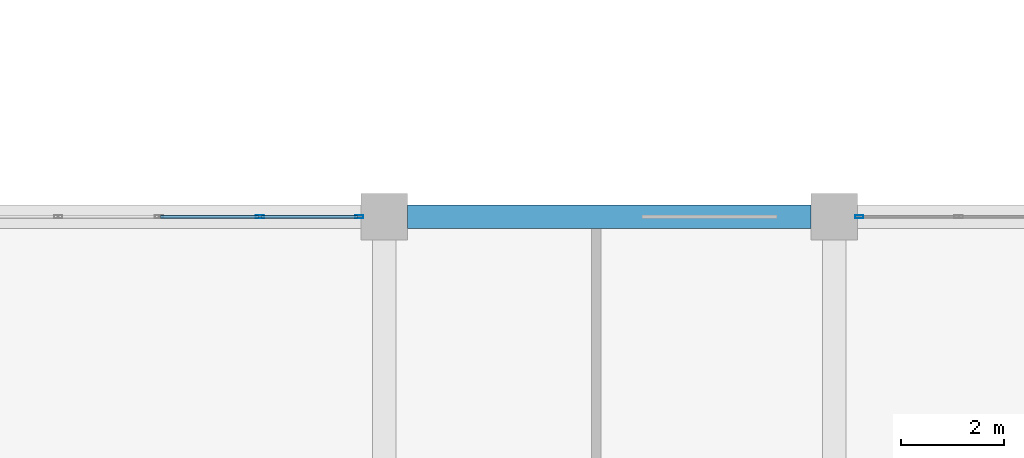
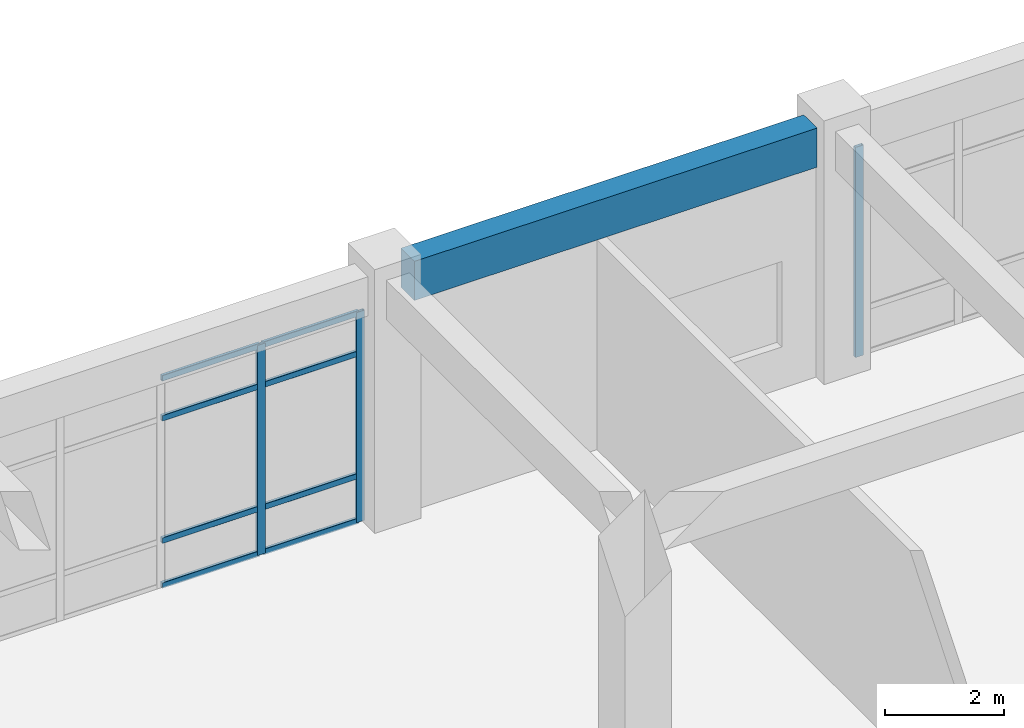
# One storey, part 63 of 114: 11 members, 1 beam, 2 elements without a shape of their own.
"""IFC4 building model written with IfcOpenShell, lengths in metres."""

from ifc_helpers import new_model, si_unit, derived_unit, direction, frame, origin, origin_2d, place, context, subcontext, project, spatial, rectangle, hollow_rectangle, extrude, material, layer, layer_set, material_profile, profile_set, type_object, element, aggregate, save


model = new_model("IFC4")

# Units and contexts
model_context = context("Model", 3, precision=1e-05, world=origin(), true_north=direction((0.0, 1.0)))
body_context = subcontext(model_context, "Body", "Model", "MODEL_VIEW")
ifc_project = project(units=[si_unit("LENGTHUNIT", "METRE"), si_unit("AREAUNIT", "SQUARE_METRE"), si_unit("VOLUMEUNIT", "CUBIC_METRE"), si_unit("PLANEANGLEUNIT", "RADIAN"), si_unit("MASSUNIT", "GRAM", prefix="KILO"), derived_unit("THERMALTRANSMITTANCEUNIT", [(si_unit("MASSUNIT", "GRAM", prefix="KILO"), 1), (si_unit("TIMEUNIT", "SECOND"), -3), (si_unit("THERMODYNAMICTEMPERATUREUNIT", "KELVIN"), -1)])], contexts=[model_context])

# Site, building, storey
site_placement = place(None, origin())
site = spatial("IfcSite", under=ifc_project, at=site_placement, CompositionType="ELEMENT")
building_placement = place(site_placement, origin())
building = spatial("IfcBuilding", under=site, at=building_placement, Name="Qinzheling Arcade Emporium", CompositionType="ELEMENT")
storey_placement = place(building_placement, frame((0.0, 0.0, 6.0)))
storey = spatial("IfcBuildingStorey", under=building, at=storey_placement, Name="L02", CompositionType="ELEMENT", Elevation=6.0)

# Curtain wall, members
ifc_material_1 = material(Name="Anodised aluminium and solar-control double glazing", Category="aluminium")
ifc_layer = layer(ifc_material_1, 0.159912109375, Name="Anodised aluminium and solar-control double glazing", Category="aluminium")
ifc_layer_set = layer_set([ifc_layer], Name="Anodised aluminium and solar-control double glazing")
curtain_wall_type = type_object("IfcCurtainWallType", Name="Food Hall Loggia Curtain Wall", PredefinedType="NOTDEFINED", material=ifc_layer_set)
curtain_wall_1_placement = place(storey_placement, origin())
curtain_wall_1 = element("IfcCurtainWall", 1, at=curtain_wall_1_placement, inside=storey, type_object=curtain_wall_type, Name="Curtain Wall CW-L02-126", PredefinedType="NOTDEFINED")
ifc_material_2 = material(Name="Anodised aluminium 6063-T6", Category="aluminium")
ifc_material_profile_1 = material_profile(ifc_material_2, hollow_rectangle(XDim=0.06005859375, YDim=0.159912109375, WallThickness=0.00390625, InnerFilletRadius=0.00390625, OuterFilletRadius=0.008056640625, at=origin_2d()), Name="RHS 160x60x4", Category="aluminium")
ifc_profile_set_1 = profile_set([ifc_material_profile_1], Name="Anodised aluminium 6063-T6")
member_type_1 = type_object("IfcMemberType", Name="Curtain Wall Mullion RHS160x60", PredefinedType="MULLION", material=ifc_profile_set_1)
member_1_placement = place(storey_placement, frame((145.4990234375, 33.60009765625, 0.0), z_axis=(0.0, 0.0, 1.0), x_axis=(0.0, 1.0, 0.0)))
member_1 = element("IfcMember", 2, at=member_1_placement, type_object=member_type_1, Name="CW04 mullion 4", PredefinedType="MULLION", context=body_context, shape_type="SweptSolid", body=[
    extrude(hollow_rectangle(XDim=0.06005859375, YDim=0.159912109375, WallThickness=0.00390625, InnerFilletRadius=0.00390625, OuterFilletRadius=0.008056640625, at=origin_2d()), origin(), (0.0, 0.0, 1.0), 4.304931640625),
])
member_2_placement = place(storey_placement, frame((147.41796875, 33.60009765625, 0.0), z_axis=(0.0, 0.0, 1.0), x_axis=(0.0, 1.0, 0.0)))
member_2 = element("IfcMember", 3, at=member_2_placement, type_object=member_type_1, Name="CW04 mullion 5", PredefinedType="MULLION", context=body_context, shape_type="SweptSolid", body=[
    extrude(hollow_rectangle(XDim=0.06005859375, YDim=0.159912109375, WallThickness=0.00390625, InnerFilletRadius=0.00390625, OuterFilletRadius=0.008056640625, at=origin_2d()), origin(), (0.0, 0.0, 1.0), 4.304931640625),
])

# Curtain wall, member
curtain_wall_2_placement = place(storey_placement, origin())
curtain_wall_2 = element("IfcCurtainWall", 4, at=curtain_wall_2_placement, inside=storey, type_object=curtain_wall_type, Name="Curtain Wall CW-L02-127", PredefinedType="NOTDEFINED")
member_3_placement = place(storey_placement, frame((157.08203125, 33.60009765625, 0.0), z_axis=(0.0, 0.0, 1.0), x_axis=(0.0, 1.0, 0.0)))
member_3 = element("IfcMember", 5, at=member_3_placement, type_object=member_type_1, Name="CW04 mullion 1", PredefinedType="MULLION", context=body_context, shape_type="SweptSolid", body=[
    extrude(hollow_rectangle(XDim=0.06005859375, YDim=0.159912109375, WallThickness=0.00390625, InnerFilletRadius=0.00390625, OuterFilletRadius=0.008056640625, at=origin_2d()), origin(), (0.0, 0.0, 1.0), 4.304931640625),
])
aggregate(curtain_wall_2, [member_3])

# Member
ifc_material_profile_2 = material_profile(ifc_material_2, hollow_rectangle(XDim=0.06005859375, YDim=0.1201171875, WallThickness=0.00390625, InnerFilletRadius=0.00390625, OuterFilletRadius=0.008056640625, at=origin_2d()), Name="RHS 120x60x4", Category="aluminium")
ifc_profile_set_2 = profile_set([ifc_material_profile_2], Name="Anodised aluminium 6063-T6")
member_type_2 = type_object("IfcMemberType", Name="Curtain Wall Transom RHS120x60", PredefinedType="USERDEFINED", material=ifc_profile_set_2)
member_4_placement = place(storey_placement, frame((143.580078125, 33.60009765625, 0.030029296875), z_axis=(1.0, 0.0, 0.0), x_axis=(0.0, 1.0, 0.0)))
member_4 = element("IfcMember", 6, at=member_4_placement, type_object=member_type_2, Name="CW04 transom 3.1", ObjectType="TRANSOM", PredefinedType="USERDEFINED", context=body_context, shape_type="SweptSolid", body=[
    extrude(hollow_rectangle(XDim=0.06005859375, YDim=0.1201171875, WallThickness=0.00390625, InnerFilletRadius=0.00390625, OuterFilletRadius=0.008056640625, at=origin_2d()), origin(), (0.0, 0.0, 1.0), 1.888916015625),
])

member_5_placement = place(storey_placement, frame((143.580078125, 33.60009765625, 0.949951171875), z_axis=(1.0, 0.0, 0.0), x_axis=(0.0, 1.0, 0.0)))
member_5 = element("IfcMember", 7, at=member_5_placement, type_object=member_type_2, Name="CW04 transom 3.2", ObjectType="TRANSOM", PredefinedType="USERDEFINED", context=body_context, shape_type="SweptSolid", body=[
    extrude(hollow_rectangle(XDim=0.06005859375, YDim=0.1201171875, WallThickness=0.00390625, InnerFilletRadius=0.00390625, OuterFilletRadius=0.008056640625, at=origin_2d()), origin(), (0.0, 0.0, 1.0), 1.888916015625),
])

member_6_placement = place(storey_placement, frame((143.580078125, 33.60009765625, 3.455078125), z_axis=(1.0, 0.0, 0.0), x_axis=(0.0, 1.0, 0.0)))
member_6 = element("IfcMember", 8, at=member_6_placement, type_object=member_type_2, Name="CW04 transom 3.3", ObjectType="TRANSOM", PredefinedType="USERDEFINED", context=body_context, shape_type="SweptSolid", body=[
    extrude(hollow_rectangle(XDim=0.06005859375, YDim=0.1201171875, WallThickness=0.00390625, InnerFilletRadius=0.00390625, OuterFilletRadius=0.008056640625, at=origin_2d()), origin(), (0.0, 0.0, 1.0), 1.888916015625),
])

member_7_placement = place(storey_placement, frame((143.580078125, 33.60009765625, 4.27490234375), z_axis=(1.0, 0.0, 0.0), x_axis=(0.0, 1.0, 0.0)))
member_7 = element("IfcMember", 9, at=member_7_placement, type_object=member_type_2, Name="CW04 transom 3.4", ObjectType="TRANSOM", PredefinedType="USERDEFINED", context=body_context, shape_type="SweptSolid", body=[
    extrude(hollow_rectangle(XDim=0.06005859375, YDim=0.1201171875, WallThickness=0.00390625, InnerFilletRadius=0.00390625, OuterFilletRadius=0.008056640625, at=origin_2d()), origin(), (0.0, 0.0, 1.0), 1.888916015625),
])

member_8_placement = place(storey_placement, frame((145.529052734375, 33.60009765625, 0.030029296875), z_axis=(1.0, 0.0, 0.0), x_axis=(0.0, 1.0, 0.0)))
member_8 = element("IfcMember", 10, at=member_8_placement, type_object=member_type_2, Name="CW04 transom 4.1", ObjectType="TRANSOM", PredefinedType="USERDEFINED", context=body_context, shape_type="SweptSolid", body=[
    extrude(hollow_rectangle(XDim=0.06005859375, YDim=0.1201171875, WallThickness=0.00390625, InnerFilletRadius=0.00390625, OuterFilletRadius=0.008056640625, at=origin_2d()), origin(), (0.0, 0.0, 1.0), 1.85888671875),
])

member_9_placement = place(storey_placement, frame((145.529052734375, 33.60009765625, 0.949951171875), z_axis=(1.0, 0.0, 0.0), x_axis=(0.0, 1.0, 0.0)))
member_9 = element("IfcMember", 11, at=member_9_placement, type_object=member_type_2, Name="CW04 transom 4.2", ObjectType="TRANSOM", PredefinedType="USERDEFINED", context=body_context, shape_type="SweptSolid", body=[
    extrude(hollow_rectangle(XDim=0.06005859375, YDim=0.1201171875, WallThickness=0.00390625, InnerFilletRadius=0.00390625, OuterFilletRadius=0.008056640625, at=origin_2d()), origin(), (0.0, 0.0, 1.0), 1.85888671875),
])

member_10_placement = place(storey_placement, frame((145.529052734375, 33.60009765625, 3.455078125), z_axis=(1.0, 0.0, 0.0), x_axis=(0.0, 1.0, 0.0)))
member_10 = element("IfcMember", 12, at=member_10_placement, type_object=member_type_2, Name="CW04 transom 4.3", ObjectType="TRANSOM", PredefinedType="USERDEFINED", context=body_context, shape_type="SweptSolid", body=[
    extrude(hollow_rectangle(XDim=0.06005859375, YDim=0.1201171875, WallThickness=0.00390625, InnerFilletRadius=0.00390625, OuterFilletRadius=0.008056640625, at=origin_2d()), origin(), (0.0, 0.0, 1.0), 1.85888671875),
])

member_11_placement = place(storey_placement, frame((145.529052734375, 33.60009765625, 4.27490234375), z_axis=(1.0, 0.0, 0.0), x_axis=(0.0, 1.0, 0.0)))
member_11 = element("IfcMember", 13, at=member_11_placement, type_object=member_type_2, Name="CW04 transom 4.4", ObjectType="TRANSOM", PredefinedType="USERDEFINED", context=body_context, shape_type="SweptSolid", body=[
    extrude(hollow_rectangle(XDim=0.06005859375, YDim=0.1201171875, WallThickness=0.00390625, InnerFilletRadius=0.00390625, OuterFilletRadius=0.008056640625, at=origin_2d()), origin(), (0.0, 0.0, 1.0), 1.85888671875),
])

aggregate(curtain_wall_1, [member_1, member_2, member_4, member_5, member_6, member_7, member_8, member_9, member_10, member_11])

# Beam
ifc_material_3 = material(Name="Concrete C40", Category="concrete")
ifc_material_profile_3 = material_profile(ifc_material_3, rectangle(XDim=0.449951171875, YDim=0.800048828125, at=origin_2d()), Name="RC 450x800", Category="concrete")
ifc_profile_set_3 = profile_set([ifc_material_profile_3], Name="Concrete C40")
beam_type = type_object("IfcBeamType", Name="RC Primary Frame Beam 450x800 C40", PredefinedType="BEAM", material=ifc_profile_set_3)
beam_placement = place(storey_placement, frame((148.35009765625, 33.60009765625, 4.719970703125), z_axis=(1.0, 0.0, 0.0), x_axis=(0.0, 1.0, 0.0)))
element("IfcBeam", 14, at=beam_placement, inside=storey, type_object=beam_type, Name="Beam BM-L02-X-E-18", PredefinedType="BEAM", context=body_context, shape_type="SweptSolid", body=[
    extrude(rectangle(XDim=0.449951171875, YDim=0.800048828125, at=origin_2d()), origin(), (0.0, 0.0, 1.0), 7.7998046875),
])

save(model, "model.ifc")
